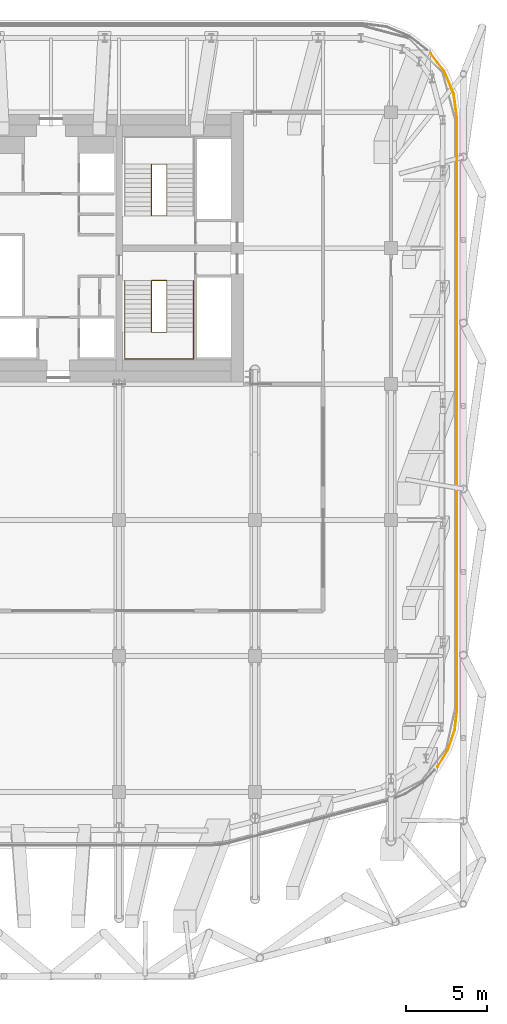
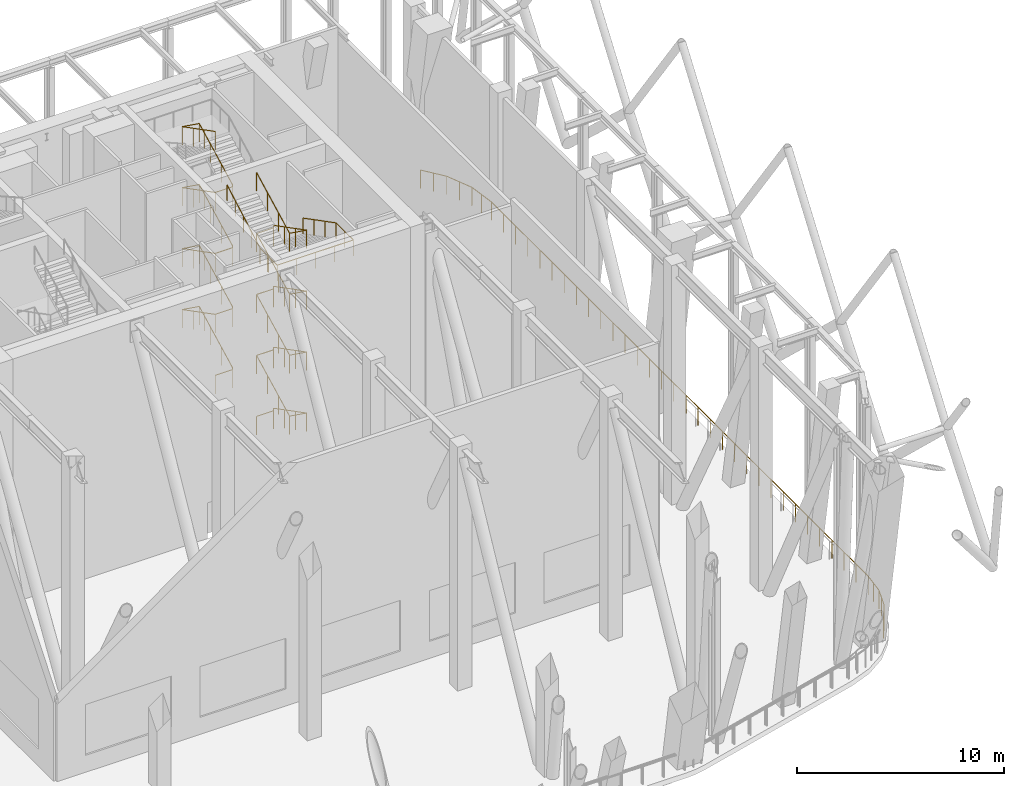
# One storey, part 19 of 20: 10 railings.
"""IFC4 building model written with IfcOpenShell, lengths in metres."""

from ifc_helpers import new_model, si_unit, direction, frame, origin, origin_2d, place, context, subcontext, project, spatial, circle, extrude, material, type_object, element, save


model = new_model("IFC4")

# Units and contexts
model_context = context("Model", 3, precision=1e-05, world=origin(), true_north=direction((0.0, 1.0)))
body_context = subcontext(model_context, "Body", "Model", "MODEL_VIEW")
ifc_project = project(units=[si_unit("LENGTHUNIT", "METRE"), si_unit("AREAUNIT", "SQUARE_METRE"), si_unit("VOLUMEUNIT", "CUBIC_METRE"), si_unit("PLANEANGLEUNIT", "RADIAN"), si_unit("MASSUNIT", "GRAM", prefix="KILO")], contexts=[model_context])

# Site, building, storey
site_placement = place(None, origin())
site = spatial("IfcSite", under=ifc_project, at=site_placement, CompositionType="ELEMENT")
building_placement = place(site_placement, origin())
building = spatial("IfcBuilding", under=site, at=building_placement, Name="Marenta Gate Hotel Tower", CompositionType="ELEMENT")
storey_placement = place(building_placement, frame((0.0, 0.0, 252.5)))
storey = spatial("IfcBuildingStorey", under=building, at=storey_placement, Name="L60", CompositionType="ELEMENT", Elevation=252.5)

# Railings
ifc_material_1 = material(Name="Stainless steel", Category="steel")
railing_type_1 = type_object("IfcRailingType", Name="Core stair handrail 950", PredefinedType="HANDRAIL", material=ifc_material_1)
railing_1_placement = place(storey_placement, frame((8.800048828125, 6.39990234375, 10.949951171875)))
element("IfcRailing", 1, at=railing_1_placement, inside=storey, type_object=railing_type_1, Name="HR-950 L60-KR-ST3-7", PredefinedType="HANDRAIL", context=body_context, shape_type="SweptSolid", body=[
    extrude(circle(Radius=0.02392578125, at=origin_2d()), frame((0.0, 0.0, 0.92578125), z_axis=(0.0, -0.888197555067, 0.459461753765), x_axis=(1.0, 0.0, 0.0)), (0.0, 0.0, 1.0), 3.591552734375),
    extrude(circle(Radius=0.02392578125, at=origin_2d()), frame((0.0, -3.18994140625, 2.576171875), z_axis=(0.0, -1.0, 0.0), x_axis=(1.0, 0.0, 0.0)), (0.0, 0.0, 1.0), 1.659912109375),
    extrude(circle(Radius=0.02392578125, at=origin_2d()), frame((0.0, -4.849853515625, 2.576171875), z_axis=(-1.0, 0.0, 0.0), x_axis=(0.0, -1.0, 0.0)), (0.0, 0.0, 1.0), 4.25),
    extrude(circle(Radius=0.02392578125, at=origin_2d()), frame((-4.25, -4.849853515625, 2.576171875), z_axis=(0.0, 1.0, 0.0), x_axis=(-1.0, 0.0, 0.0)), (0.0, 0.0, 1.0), 1.659912109375),
    extrude(circle(Radius=0.02392578125, at=origin_2d()), frame((-4.25, -3.18994140625, 2.576171875), z_axis=(0.0, 0.870937506535, 0.491393792911), x_axis=(-1.0, 0.0, 0.0)), (0.0, 0.0, 1.0), 3.66259765625),
    extrude(circle(Radius=0.02099609375, at=origin_2d()), origin(), (0.0, 0.0, 1.0), 0.90185546875),
    extrude(circle(Radius=0.02099609375, at=origin_2d()), frame((0.0, -1.063232421875, 0.550048828125)), (0.0, 0.0, 1.0), 0.90185546875),
    extrude(circle(Radius=0.02099609375, at=origin_2d()), frame((0.0, -2.126708984375, 1.10009765625)), (0.0, 0.0, 1.0), 0.90185546875),
    extrude(circle(Radius=0.02099609375, at=origin_2d()), frame((0.0, -3.18994140625, 1.650146484375)), (0.0, 0.0, 1.0), 0.90185546875),
    extrude(circle(Radius=0.02099609375, at=origin_2d()), frame((0.0, -4.02001953125, 1.650146484375)), (0.0, 0.0, 1.0), 0.90185546875),
    extrude(circle(Radius=0.02099609375, at=origin_2d()), frame((0.0, -4.849853515625, 1.650146484375)), (0.0, 0.0, 1.0), 0.90185546875),
    extrude(circle(Radius=0.02099609375, at=origin_2d()), frame((-1.0625, -4.849853515625, 1.650146484375)), (0.0, 0.0, 1.0), 0.90185546875),
    extrude(circle(Radius=0.02099609375, at=origin_2d()), frame((-2.125, -4.849853515625, 1.650146484375)), (0.0, 0.0, 1.0), 0.90185546875),
    extrude(circle(Radius=0.02099609375, at=origin_2d()), frame((-3.1875, -4.849853515625, 1.650146484375)), (0.0, 0.0, 1.0), 0.90185546875),
    extrude(circle(Radius=0.02099609375, at=origin_2d()), frame((-4.25, -4.849853515625, 1.650146484375)), (0.0, 0.0, 1.0), 0.90185546875),
    extrude(circle(Radius=0.02099609375, at=origin_2d()), frame((-4.25, -4.02001953125, 1.650146484375)), (0.0, 0.0, 1.0), 0.90185546875),
    extrude(circle(Radius=0.02099609375, at=origin_2d()), frame((-4.25, -3.18994140625, 1.650146484375)), (0.0, 0.0, 1.0), 0.90185546875),
    extrude(circle(Radius=0.02099609375, at=origin_2d()), frame((-4.25, -2.392578125, 2.10009765625)), (0.0, 0.0, 1.0), 0.90185546875),
    extrude(circle(Radius=0.02099609375, at=origin_2d()), frame((-4.25, -1.594970703125, 2.550048828125)), (0.0, 0.0, 1.0), 0.90185546875),
    extrude(circle(Radius=0.02099609375, at=origin_2d()), frame((-4.25, -0.79736328125, 3.0)), (0.0, 0.0, 1.0), 0.90185546875),
    extrude(circle(Radius=0.02099609375, at=origin_2d()), frame((-4.25, 0.0, 3.449951171875)), (0.0, 0.0, 1.0), 0.90185546875),
])
ifc_material_2 = material(Name="Stainless steel", Category="steel")
railing_type_2 = type_object("IfcRailingType", Name="Core stair well guard 1100", PredefinedType="GUARDRAIL", material=ifc_material_2)
railing_2_placement = place(storey_placement, frame((6.199951171875, 6.39990234375, 0.0)))
element("IfcRailing", 2, at=railing_2_placement, inside=storey, type_object=railing_type_2, Name="GR-1100 L60-KR-ST3-2", PredefinedType="GUARDRAIL", context=body_context, shape_type="SweptSolid", body=[
    extrude(circle(Radius=0.02392578125, at=origin_2d()), frame((0.0, 0.0, 1.076171875), z_axis=(1.0, 0.0, 0.0), x_axis=(0.0, 1.0, 0.0)), (0.0, 0.0, 1.0), 0.949951171875),
    extrude(circle(Radius=0.02392578125, at=origin_2d()), frame((0.949951171875, 0.0, 1.076171875), z_axis=(0.0, 0.0, 1.0), x_axis=(1.0, 0.0, 0.0)), (0.0, 0.0, 1.0), 0.14990234375),
    extrude(circle(Radius=0.02392578125, at=origin_2d()), frame((0.949951171875, 0.0, 1.22607421875), z_axis=(0.0, -0.888197555067, 0.459461753765), x_axis=(1.0, 0.0, 0.0)), (0.0, 0.0, 1.0), 3.591552734375),
    extrude(circle(Radius=0.02392578125, at=origin_2d()), frame((0.949951171875, -3.18994140625, 2.8759765625), z_axis=(-0.987777369502, 0.0, 0.15587131968), x_axis=(0.0, -1.0, 0.0)), (0.0, 0.0, 1.0), 0.961669921875),
    extrude(circle(Radius=0.02392578125, at=origin_2d()), frame((0.0, -3.18994140625, 3.02587890625), z_axis=(0.0, 0.888197555067, 0.459461753765), x_axis=(-1.0, 0.0, 0.0)), (0.0, 0.0, 1.0), 3.591552734375),
    extrude(circle(Radius=0.02099609375, at=origin_2d()), origin(), (0.0, 0.0, 1.0), 1.052001953125),
    extrude(circle(Radius=0.02099609375, at=origin_2d()), frame((0.949951171875, 0.0, 0.0)), (0.0, 0.0, 1.0), 1.052001953125),
    extrude(circle(Radius=0.02099609375, at=origin_2d()), frame((0.949951171875, 0.0, 0.14990234375)), (0.0, 0.0, 1.0), 1.052001953125),
    extrude(circle(Radius=0.02099609375, at=origin_2d()), frame((0.949951171875, -1.063232421875, 0.699951171875)), (0.0, 0.0, 1.0), 1.052001953125),
    extrude(circle(Radius=0.02099609375, at=origin_2d()), frame((0.949951171875, -2.126708984375, 1.25)), (0.0, 0.0, 1.0), 1.052001953125),
    extrude(circle(Radius=0.02099609375, at=origin_2d()), frame((0.949951171875, -3.18994140625, 1.800048828125)), (0.0, 0.0, 1.0), 1.052001953125),
    extrude(circle(Radius=0.02099609375, at=origin_2d()), frame((0.0, -3.18994140625, 1.949951171875)), (0.0, 0.0, 1.0), 1.052001953125),
    extrude(circle(Radius=0.02099609375, at=origin_2d()), frame((0.0, -2.126708984375, 2.5)), (0.0, 0.0, 1.0), 1.052001953125),
    extrude(circle(Radius=0.02099609375, at=origin_2d()), frame((0.0, -1.063232421875, 3.050048828125)), (0.0, 0.0, 1.0), 1.052001953125),
    extrude(circle(Radius=0.02099609375, at=origin_2d()), frame((0.0, 0.0, 3.60009765625)), (0.0, 0.0, 1.0), 1.052001953125),
])
railing_3_placement = place(storey_placement, frame((6.199951171875, 6.39990234375, 3.60009765625)))
element("IfcRailing", 3, at=railing_3_placement, inside=storey, type_object=railing_type_2, Name="GR-1100 L60-KR-ST3-4", PredefinedType="GUARDRAIL", context=body_context, shape_type="SweptSolid", body=[
    extrude(circle(Radius=0.02392578125, at=origin_2d()), frame((0.0, 0.0, 1.076171875), z_axis=(1.0, 0.0, 0.0), x_axis=(0.0, 1.0, 0.0)), (0.0, 0.0, 1.0), 0.949951171875),
    extrude(circle(Radius=0.02392578125, at=origin_2d()), frame((0.949951171875, 0.0, 1.076171875), z_axis=(0.0, 0.0, 1.0), x_axis=(1.0, 0.0, 0.0)), (0.0, 0.0, 1.0), 0.14990234375),
    extrude(circle(Radius=0.02392578125, at=origin_2d()), frame((0.949951171875, 0.0, 1.22607421875), z_axis=(0.0, -0.888225295554, 0.459408123936), x_axis=(1.0, 0.0, 0.0)), (0.0, 0.0, 1.0), 3.59130859375),
    extrude(circle(Radius=0.02392578125, at=origin_2d()), frame((0.949951171875, -3.18994140625, 2.8759765625), z_axis=(-0.987738253826, 0.0, 0.156118999255), x_axis=(0.0, -1.0, 0.0)), (0.0, 0.0, 1.0), 0.961669921875),
    extrude(circle(Radius=0.02392578125, at=origin_2d()), frame((0.0, -3.18994140625, 3.02587890625), z_axis=(0.0, 0.888225295554, 0.459408123936), x_axis=(-1.0, 0.0, 0.0)), (0.0, 0.0, 1.0), 3.59130859375),
    extrude(circle(Radius=0.02099609375, at=origin_2d()), origin(), (0.0, 0.0, 1.0), 1.052001953125),
    extrude(circle(Radius=0.02099609375, at=origin_2d()), frame((0.949951171875, 0.0, 0.0)), (0.0, 0.0, 1.0), 1.052001953125),
    extrude(circle(Radius=0.02099609375, at=origin_2d()), frame((0.949951171875, 0.0, 0.14990234375)), (0.0, 0.0, 1.0), 1.052001953125),
    extrude(circle(Radius=0.02099609375, at=origin_2d()), frame((0.949951171875, -1.063232421875, 0.699951171875)), (0.0, 0.0, 1.0), 1.052001953125),
    extrude(circle(Radius=0.02099609375, at=origin_2d()), frame((0.949951171875, -2.126708984375, 1.249755859375)), (0.0, 0.0, 1.0), 1.052001953125),
    extrude(circle(Radius=0.02099609375, at=origin_2d()), frame((0.949951171875, -3.18994140625, 1.7998046875)), (0.0, 0.0, 1.0), 1.052001953125),
    extrude(circle(Radius=0.02099609375, at=origin_2d()), frame((0.0, -3.18994140625, 1.949951171875)), (0.0, 0.0, 1.0), 1.052001953125),
    extrude(circle(Radius=0.02099609375, at=origin_2d()), frame((0.0, -2.126708984375, 2.5)), (0.0, 0.0, 1.0), 1.052001953125),
    extrude(circle(Radius=0.02099609375, at=origin_2d()), frame((0.0, -1.063232421875, 3.0498046875)), (0.0, 0.0, 1.0), 1.052001953125),
    extrude(circle(Radius=0.02099609375, at=origin_2d()), frame((0.0, 0.0, 3.599853515625)), (0.0, 0.0, 1.0), 1.052001953125),
])
railing_4_placement = place(storey_placement, frame((6.199951171875, 6.39990234375, 7.199951171875)))
element("IfcRailing", 4, at=railing_4_placement, inside=storey, type_object=railing_type_2, Name="GR-1100 L60-KR-ST3-6", PredefinedType="GUARDRAIL", context=body_context, shape_type="SweptSolid", body=[
    extrude(circle(Radius=0.02392578125, at=origin_2d()), frame((0.0, 0.0, 1.076171875), z_axis=(1.0, 0.0, 0.0), x_axis=(0.0, 1.0, 0.0)), (0.0, 0.0, 1.0), 0.949951171875),
    extrude(circle(Radius=0.02392578125, at=origin_2d()), frame((0.949951171875, 0.0, 1.076171875), z_axis=(0.0, 0.0, 1.0), x_axis=(1.0, 0.0, 0.0)), (0.0, 0.0, 1.0), 0.150146484375),
    extrude(circle(Radius=0.02392578125, at=origin_2d()), frame((0.949951171875, 0.0, 1.22607421875), z_axis=(0.0, -0.888225295554, 0.459408123936), x_axis=(1.0, 0.0, 0.0)), (0.0, 0.0, 1.0), 3.59130859375),
    extrude(circle(Radius=0.02392578125, at=origin_2d()), frame((0.949951171875, -3.18994140625, 2.8759765625), z_axis=(-0.987777369502, 0.0, 0.15587131968), x_axis=(0.0, -1.0, 0.0)), (0.0, 0.0, 1.0), 0.961669921875),
    extrude(circle(Radius=0.02392578125, at=origin_2d()), frame((0.0, -3.18994140625, 3.02587890625), z_axis=(0.0, 0.888197555067, 0.459461753765), x_axis=(-1.0, 0.0, 0.0)), (0.0, 0.0, 1.0), 3.591552734375),
    extrude(circle(Radius=0.02099609375, at=origin_2d()), origin(), (0.0, 0.0, 1.0), 1.052001953125),
    extrude(circle(Radius=0.02099609375, at=origin_2d()), frame((0.949951171875, 0.0, 0.0)), (0.0, 0.0, 1.0), 1.052001953125),
    extrude(circle(Radius=0.02099609375, at=origin_2d()), frame((0.949951171875, 0.0, 0.150146484375)), (0.0, 0.0, 1.0), 1.052001953125),
    extrude(circle(Radius=0.02099609375, at=origin_2d()), frame((0.949951171875, -1.063232421875, 0.7001953125)), (0.0, 0.0, 1.0), 1.052001953125),
    extrude(circle(Radius=0.02099609375, at=origin_2d()), frame((0.949951171875, -2.126708984375, 1.25)), (0.0, 0.0, 1.0), 1.052001953125),
    extrude(circle(Radius=0.02099609375, at=origin_2d()), frame((0.949951171875, -3.18994140625, 1.800048828125)), (0.0, 0.0, 1.0), 1.052001953125),
    extrude(circle(Radius=0.02099609375, at=origin_2d()), frame((0.0, -3.18994140625, 1.949951171875)), (0.0, 0.0, 1.0), 1.052001953125),
    extrude(circle(Radius=0.02099609375, at=origin_2d()), frame((0.0, -2.126708984375, 2.5)), (0.0, 0.0, 1.0), 1.052001953125),
    extrude(circle(Radius=0.02099609375, at=origin_2d()), frame((0.0, -1.063232421875, 3.050048828125)), (0.0, 0.0, 1.0), 1.052001953125),
    extrude(circle(Radius=0.02099609375, at=origin_2d()), frame((0.0, 0.0, 3.60009765625)), (0.0, 0.0, 1.0), 1.052001953125),
])
railing_5_placement = place(storey_placement, frame((6.199951171875, 6.39990234375, 10.800048828125)))
element("IfcRailing", 5, at=railing_5_placement, inside=storey, type_object=railing_type_2, Name="GR-1100 L60-KR-ST3-8", PredefinedType="GUARDRAIL", context=body_context, shape_type="SweptSolid", body=[
    extrude(circle(Radius=0.02392578125, at=origin_2d()), frame((0.0, 0.0, 1.076171875), z_axis=(1.0, 0.0, 0.0), x_axis=(0.0, 1.0, 0.0)), (0.0, 0.0, 1.0), 0.949951171875),
    extrude(circle(Radius=0.02392578125, at=origin_2d()), frame((0.949951171875, 0.0, 1.076171875), z_axis=(0.0, 0.0, 1.0), x_axis=(1.0, 0.0, 0.0)), (0.0, 0.0, 1.0), 0.14990234375),
    extrude(circle(Radius=0.02392578125, at=origin_2d()), frame((0.949951171875, 0.0, 1.22607421875), z_axis=(0.0, -0.888197555067, 0.459461753765), x_axis=(1.0, 0.0, 0.0)), (0.0, 0.0, 1.0), 3.591552734375),
    extrude(circle(Radius=0.02392578125, at=origin_2d()), frame((0.949951171875, -3.18994140625, 2.8759765625), z_axis=(-0.987777369502, 0.0, 0.15587131968), x_axis=(0.0, -1.0, 0.0)), (0.0, 0.0, 1.0), 0.961669921875),
    extrude(circle(Radius=0.02392578125, at=origin_2d()), frame((0.0, -3.18994140625, 3.02587890625), z_axis=(0.0, 0.888225295554, 0.459408123936), x_axis=(-1.0, 0.0, 0.0)), (0.0, 0.0, 1.0), 3.59130859375),
    extrude(circle(Radius=0.02099609375, at=origin_2d()), origin(), (0.0, 0.0, 1.0), 1.052001953125),
    extrude(circle(Radius=0.02099609375, at=origin_2d()), frame((0.949951171875, 0.0, 0.0)), (0.0, 0.0, 1.0), 1.052001953125),
    extrude(circle(Radius=0.02099609375, at=origin_2d()), frame((0.949951171875, 0.0, 0.14990234375)), (0.0, 0.0, 1.0), 1.052001953125),
    extrude(circle(Radius=0.02099609375, at=origin_2d()), frame((0.949951171875, -1.063232421875, 0.699951171875)), (0.0, 0.0, 1.0), 1.052001953125),
    extrude(circle(Radius=0.02099609375, at=origin_2d()), frame((0.949951171875, -2.126708984375, 1.25)), (0.0, 0.0, 1.0), 1.052001953125),
    extrude(circle(Radius=0.02099609375, at=origin_2d()), frame((0.949951171875, -3.18994140625, 1.800048828125)), (0.0, 0.0, 1.0), 1.052001953125),
    extrude(circle(Radius=0.02099609375, at=origin_2d()), frame((0.0, -3.18994140625, 1.949951171875)), (0.0, 0.0, 1.0), 1.052001953125),
    extrude(circle(Radius=0.02099609375, at=origin_2d()), frame((0.0, -2.126708984375, 2.5)), (0.0, 0.0, 1.0), 1.052001953125),
    extrude(circle(Radius=0.02099609375, at=origin_2d()), frame((0.0, -1.063232421875, 3.0498046875)), (0.0, 0.0, 1.0), 1.052001953125),
    extrude(circle(Radius=0.02099609375, at=origin_2d()), frame((0.0, 0.0, 3.599853515625)), (0.0, 0.0, 1.0), 1.052001953125),
])
railing_6_placement = place(storey_placement, frame((6.199951171875, 10.39990234375, 0.0)))
element("IfcRailing", 6, at=railing_6_placement, inside=storey, type_object=railing_type_2, Name="GR-1100 L60-KR-ST4-2", PredefinedType="GUARDRAIL", context=body_context, shape_type="SweptSolid", body=[
    extrude(circle(Radius=0.02392578125, at=origin_2d()), frame((0.0, 0.0, 1.076171875), z_axis=(1.0, 0.0, 0.0), x_axis=(0.0, 1.0, 0.0)), (0.0, 0.0, 1.0), 0.949951171875),
    extrude(circle(Radius=0.02392578125, at=origin_2d()), frame((0.949951171875, 0.0, 1.076171875), z_axis=(0.0, 0.0, 1.0), x_axis=(1.0, 0.0, 0.0)), (0.0, 0.0, 1.0), 0.14990234375),
    extrude(circle(Radius=0.02392578125, at=origin_2d()), frame((0.949951171875, 0.0, 1.22607421875), z_axis=(0.0, 0.888211904222, 0.459434013977), x_axis=(-1.0, 0.0, 0.0)), (0.0, 0.0, 1.0), 3.591796875),
    extrude(circle(Radius=0.02392578125, at=origin_2d()), frame((0.949951171875, 3.190185546875, 2.8759765625), z_axis=(-0.987777369502, 0.0, 0.15587131968), x_axis=(0.0, -1.0, 0.0)), (0.0, 0.0, 1.0), 0.961669921875),
    extrude(circle(Radius=0.02392578125, at=origin_2d()), frame((0.0, 3.190185546875, 3.02587890625), z_axis=(0.0, -0.888211904222, 0.459434013977), x_axis=(1.0, 0.0, 0.0)), (0.0, 0.0, 1.0), 3.591796875),
    extrude(circle(Radius=0.02099609375, at=origin_2d()), origin(), (0.0, 0.0, 1.0), 1.052001953125),
    extrude(circle(Radius=0.02099609375, at=origin_2d()), frame((0.949951171875, 0.0, 0.0)), (0.0, 0.0, 1.0), 1.052001953125),
    extrude(circle(Radius=0.02099609375, at=origin_2d()), frame((0.949951171875, 0.0, 0.14990234375)), (0.0, 0.0, 1.0), 1.052001953125),
    extrude(circle(Radius=0.02099609375, at=origin_2d()), frame((0.949951171875, 1.0634765625, 0.699951171875)), (0.0, 0.0, 1.0), 1.052001953125),
    extrude(circle(Radius=0.02099609375, at=origin_2d()), frame((0.949951171875, 2.126708984375, 1.25)), (0.0, 0.0, 1.0), 1.052001953125),
    extrude(circle(Radius=0.02099609375, at=origin_2d()), frame((0.949951171875, 3.190185546875, 1.800048828125)), (0.0, 0.0, 1.0), 1.052001953125),
    extrude(circle(Radius=0.02099609375, at=origin_2d()), frame((0.0, 3.190185546875, 1.949951171875)), (0.0, 0.0, 1.0), 1.052001953125),
    extrude(circle(Radius=0.02099609375, at=origin_2d()), frame((0.0, 2.126708984375, 2.5)), (0.0, 0.0, 1.0), 1.052001953125),
    extrude(circle(Radius=0.02099609375, at=origin_2d()), frame((0.0, 1.0634765625, 3.050048828125)), (0.0, 0.0, 1.0), 1.052001953125),
    extrude(circle(Radius=0.02099609375, at=origin_2d()), frame((0.0, 0.0, 3.60009765625)), (0.0, 0.0, 1.0), 1.052001953125),
])
railing_7_placement = place(storey_placement, frame((6.199951171875, 10.39990234375, 3.60009765625)))
element("IfcRailing", 7, at=railing_7_placement, inside=storey, type_object=railing_type_2, Name="GR-1100 L60-KR-ST4-4", PredefinedType="GUARDRAIL", context=body_context, shape_type="SweptSolid", body=[
    extrude(circle(Radius=0.02392578125, at=origin_2d()), frame((0.0, 0.0, 1.076171875), z_axis=(1.0, 0.0, 0.0), x_axis=(0.0, 1.0, 0.0)), (0.0, 0.0, 1.0), 0.949951171875),
    extrude(circle(Radius=0.02392578125, at=origin_2d()), frame((0.949951171875, 0.0, 1.076171875), z_axis=(0.0, 0.0, 1.0), x_axis=(1.0, 0.0, 0.0)), (0.0, 0.0, 1.0), 0.14990234375),
    extrude(circle(Radius=0.02392578125, at=origin_2d()), frame((0.949951171875, 0.0, 1.22607421875), z_axis=(0.0, 0.888239641807, 0.459380385653), x_axis=(-1.0, 0.0, 0.0)), (0.0, 0.0, 1.0), 3.591552734375),
    extrude(circle(Radius=0.02392578125, at=origin_2d()), frame((0.949951171875, 3.190185546875, 2.8759765625), z_axis=(-0.987738253826, 0.0, 0.156118999255), x_axis=(0.0, -1.0, 0.0)), (0.0, 0.0, 1.0), 0.961669921875),
    extrude(circle(Radius=0.02392578125, at=origin_2d()), frame((0.0, 3.190185546875, 3.02587890625), z_axis=(0.0, -0.888239641807, 0.459380385653), x_axis=(1.0, 0.0, 0.0)), (0.0, 0.0, 1.0), 3.591552734375),
    extrude(circle(Radius=0.02099609375, at=origin_2d()), origin(), (0.0, 0.0, 1.0), 1.052001953125),
    extrude(circle(Radius=0.02099609375, at=origin_2d()), frame((0.949951171875, 0.0, 0.0)), (0.0, 0.0, 1.0), 1.052001953125),
    extrude(circle(Radius=0.02099609375, at=origin_2d()), frame((0.949951171875, 0.0, 0.14990234375)), (0.0, 0.0, 1.0), 1.052001953125),
    extrude(circle(Radius=0.02099609375, at=origin_2d()), frame((0.949951171875, 1.0634765625, 0.699951171875)), (0.0, 0.0, 1.0), 1.052001953125),
    extrude(circle(Radius=0.02099609375, at=origin_2d()), frame((0.949951171875, 2.126708984375, 1.249755859375)), (0.0, 0.0, 1.0), 1.052001953125),
    extrude(circle(Radius=0.02099609375, at=origin_2d()), frame((0.949951171875, 3.190185546875, 1.7998046875)), (0.0, 0.0, 1.0), 1.052001953125),
    extrude(circle(Radius=0.02099609375, at=origin_2d()), frame((0.0, 3.190185546875, 1.949951171875)), (0.0, 0.0, 1.0), 1.052001953125),
    extrude(circle(Radius=0.02099609375, at=origin_2d()), frame((0.0, 2.126708984375, 2.5)), (0.0, 0.0, 1.0), 1.052001953125),
    extrude(circle(Radius=0.02099609375, at=origin_2d()), frame((0.0, 1.0634765625, 3.0498046875)), (0.0, 0.0, 1.0), 1.052001953125),
    extrude(circle(Radius=0.02099609375, at=origin_2d()), frame((0.0, 0.0, 3.599853515625)), (0.0, 0.0, 1.0), 1.052001953125),
])
railing_8_placement = place(storey_placement, frame((6.199951171875, 10.39990234375, 7.199951171875)))
element("IfcRailing", 8, at=railing_8_placement, inside=storey, type_object=railing_type_2, Name="GR-1100 L60-KR-ST4-6", PredefinedType="GUARDRAIL", context=body_context, shape_type="SweptSolid", body=[
    extrude(circle(Radius=0.02392578125, at=origin_2d()), frame((0.0, 0.0, 1.076171875), z_axis=(1.0, 0.0, 0.0), x_axis=(0.0, 1.0, 0.0)), (0.0, 0.0, 1.0), 0.949951171875),
    extrude(circle(Radius=0.02392578125, at=origin_2d()), frame((0.949951171875, 0.0, 1.076171875), z_axis=(0.0, 0.0, 1.0), x_axis=(1.0, 0.0, 0.0)), (0.0, 0.0, 1.0), 0.150146484375),
    extrude(circle(Radius=0.02392578125, at=origin_2d()), frame((0.949951171875, 0.0, 1.22607421875), z_axis=(0.0, 0.888239641807, 0.459380385653), x_axis=(-1.0, 0.0, 0.0)), (0.0, 0.0, 1.0), 3.591552734375),
    extrude(circle(Radius=0.02392578125, at=origin_2d()), frame((0.949951171875, 3.190185546875, 2.8759765625), z_axis=(-0.987777369502, 0.0, 0.15587131968), x_axis=(0.0, -1.0, 0.0)), (0.0, 0.0, 1.0), 0.961669921875),
    extrude(circle(Radius=0.02392578125, at=origin_2d()), frame((0.0, 3.190185546875, 3.02587890625), z_axis=(0.0, -0.888211904222, 0.459434013977), x_axis=(1.0, 0.0, 0.0)), (0.0, 0.0, 1.0), 3.591796875),
    extrude(circle(Radius=0.02099609375, at=origin_2d()), origin(), (0.0, 0.0, 1.0), 1.052001953125),
    extrude(circle(Radius=0.02099609375, at=origin_2d()), frame((0.949951171875, 0.0, 0.0)), (0.0, 0.0, 1.0), 1.052001953125),
    extrude(circle(Radius=0.02099609375, at=origin_2d()), frame((0.949951171875, 0.0, 0.150146484375)), (0.0, 0.0, 1.0), 1.052001953125),
    extrude(circle(Radius=0.02099609375, at=origin_2d()), frame((0.949951171875, 1.0634765625, 0.7001953125)), (0.0, 0.0, 1.0), 1.052001953125),
    extrude(circle(Radius=0.02099609375, at=origin_2d()), frame((0.949951171875, 2.126708984375, 1.25)), (0.0, 0.0, 1.0), 1.052001953125),
    extrude(circle(Radius=0.02099609375, at=origin_2d()), frame((0.949951171875, 3.190185546875, 1.800048828125)), (0.0, 0.0, 1.0), 1.052001953125),
    extrude(circle(Radius=0.02099609375, at=origin_2d()), frame((0.0, 3.190185546875, 1.949951171875)), (0.0, 0.0, 1.0), 1.052001953125),
    extrude(circle(Radius=0.02099609375, at=origin_2d()), frame((0.0, 2.126708984375, 2.5)), (0.0, 0.0, 1.0), 1.052001953125),
    extrude(circle(Radius=0.02099609375, at=origin_2d()), frame((0.0, 1.0634765625, 3.050048828125)), (0.0, 0.0, 1.0), 1.052001953125),
    extrude(circle(Radius=0.02099609375, at=origin_2d()), frame((0.0, 0.0, 3.60009765625)), (0.0, 0.0, 1.0), 1.052001953125),
])
railing_9_placement = place(storey_placement, frame((6.199951171875, 10.39990234375, 10.800048828125)))
element("IfcRailing", 9, at=railing_9_placement, inside=storey, type_object=railing_type_2, Name="GR-1100 L60-KR-ST4-8", PredefinedType="GUARDRAIL", context=body_context, shape_type="SweptSolid", body=[
    extrude(circle(Radius=0.02392578125, at=origin_2d()), frame((0.0, 0.0, 1.076171875), z_axis=(1.0, 0.0, 0.0), x_axis=(0.0, 1.0, 0.0)), (0.0, 0.0, 1.0), 0.949951171875),
    extrude(circle(Radius=0.02392578125, at=origin_2d()), frame((0.949951171875, 0.0, 1.076171875), z_axis=(0.0, 0.0, 1.0), x_axis=(1.0, 0.0, 0.0)), (0.0, 0.0, 1.0), 0.14990234375),
    extrude(circle(Radius=0.02392578125, at=origin_2d()), frame((0.949951171875, 0.0, 1.22607421875), z_axis=(0.0, 0.888211904222, 0.459434013977), x_axis=(-1.0, 0.0, 0.0)), (0.0, 0.0, 1.0), 3.591796875),
    extrude(circle(Radius=0.02392578125, at=origin_2d()), frame((0.949951171875, 3.190185546875, 2.8759765625), z_axis=(-0.987777369502, 0.0, 0.15587131968), x_axis=(0.0, -1.0, 0.0)), (0.0, 0.0, 1.0), 0.961669921875),
    extrude(circle(Radius=0.02392578125, at=origin_2d()), frame((0.0, 3.190185546875, 3.02587890625), z_axis=(0.0, -0.888239641807, 0.459380385653), x_axis=(1.0, 0.0, 0.0)), (0.0, 0.0, 1.0), 3.591552734375),
    extrude(circle(Radius=0.02099609375, at=origin_2d()), origin(), (0.0, 0.0, 1.0), 1.052001953125),
    extrude(circle(Radius=0.02099609375, at=origin_2d()), frame((0.949951171875, 0.0, 0.0)), (0.0, 0.0, 1.0), 1.052001953125),
    extrude(circle(Radius=0.02099609375, at=origin_2d()), frame((0.949951171875, 0.0, 0.14990234375)), (0.0, 0.0, 1.0), 1.052001953125),
    extrude(circle(Radius=0.02099609375, at=origin_2d()), frame((0.949951171875, 1.0634765625, 0.699951171875)), (0.0, 0.0, 1.0), 1.052001953125),
    extrude(circle(Radius=0.02099609375, at=origin_2d()), frame((0.949951171875, 2.126708984375, 1.25)), (0.0, 0.0, 1.0), 1.052001953125),
    extrude(circle(Radius=0.02099609375, at=origin_2d()), frame((0.949951171875, 3.190185546875, 1.800048828125)), (0.0, 0.0, 1.0), 1.052001953125),
    extrude(circle(Radius=0.02099609375, at=origin_2d()), frame((0.0, 3.190185546875, 1.949951171875)), (0.0, 0.0, 1.0), 1.052001953125),
    extrude(circle(Radius=0.02099609375, at=origin_2d()), frame((0.0, 2.126708984375, 2.5)), (0.0, 0.0, 1.0), 1.052001953125),
    extrude(circle(Radius=0.02099609375, at=origin_2d()), frame((0.0, 1.0634765625, 3.0498046875)), (0.0, 0.0, 1.0), 1.052001953125),
    extrude(circle(Radius=0.02099609375, at=origin_2d()), frame((0.0, 0.0, 3.599853515625)), (0.0, 0.0, 1.0), 1.052001953125),
])
ifc_material_3 = material(Name="Stainless steel", Category="steel")
railing_type_3 = type_object("IfcRailingType", Name="Guard 1100 stainless balustrade", PredefinedType="GUARDRAIL", material=ifc_material_3)
railing_10_placement = place(storey_placement, frame((23.45556640625, 20.4287109375, 0.0)))
element("IfcRailing", 10, at=railing_10_placement, inside=storey, type_object=railing_type_3, Name="Guard", PredefinedType="GUARDRAIL", context=body_context, shape_type="SweptSolid", body=[
    extrude(circle(Radius=0.02392578125, at=origin_2d()), frame((0.0, 0.0, 1.076171875), z_axis=(0.60886823322, -0.793271375115, 0.0), x_axis=(0.793271375115, 0.60886823322, 0.0)), (0.0, 0.0, 1.0), 1.373046875),
    extrude(circle(Radius=0.02392578125, at=origin_2d()), frame((0.8359375, -1.089111328125, 1.076171875), z_axis=(0.382581272365, -0.923921841952, 0.0), x_axis=(0.923921841952, 0.382581272365, 0.0)), (0.0, 0.0, 1.0), 1.53466796875),
    extrude(circle(Radius=0.02392578125, at=origin_2d()), frame((1.423095703125, -2.507080078125, 1.076171875), z_axis=(0.130556852376, -0.991440824405, 0.0), x_axis=(0.991440824405, 0.130556852376, 0.0)), (0.0, 0.0, 1.0), 1.542724609375),
    extrude(circle(Radius=0.02392578125, at=origin_2d()), frame((1.62451171875, -4.03662109375, 1.076171875), z_axis=(0.0, -1.0, 0.0), x_axis=(1.0, 0.0, 0.0)), (0.0, 0.0, 1.0), 36.4697265625),
    extrude(circle(Radius=0.02392578125, at=origin_2d()), frame((1.62451171875, -40.50634765625, 1.076171875), z_axis=(-0.109080390249, -0.994032931277, 0.0), x_axis=(0.994032931277, -0.109080390249, 0.0)), (0.0, 0.0, 1.0), 1.289306640625),
    extrude(circle(Radius=0.02392578125, at=origin_2d()), frame((1.48388671875, -41.787841796875, 1.076171875), z_axis=(-0.322104084184, -0.946704261611, 0.0), x_axis=(0.946704261611, -0.322104084184, 0.0)), (0.0, 0.0, 1.0), 1.282470703125),
    extrude(circle(Radius=0.02392578125, at=origin_2d()), frame((1.07080078125, -43.001953125, 1.076171875), z_axis=(-0.519590331328, -0.854415523964, 0.0), x_axis=(0.854415523964, -0.519590331328, 0.0)), (0.0, 0.0, 1.0), 1.238037109375),
    extrude(circle(Radius=0.02099609375, at=origin_2d()), origin(), (0.0, 0.0, 1.0), 1.052001953125),
    extrude(circle(Radius=0.02099609375, at=origin_2d()), frame((0.41796875, -0.54443359375, 0.0)), (0.0, 0.0, 1.0), 1.052001953125),
    extrude(circle(Radius=0.02099609375, at=origin_2d()), frame((0.8359375, -1.089111328125, 0.0)), (0.0, 0.0, 1.0), 1.052001953125),
    extrude(circle(Radius=0.02099609375, at=origin_2d()), frame((1.12939453125, -1.798095703125, 0.0)), (0.0, 0.0, 1.0), 1.052001953125),
    extrude(circle(Radius=0.02099609375, at=origin_2d()), frame((1.423095703125, -2.507080078125, 0.0)), (0.0, 0.0, 1.0), 1.052001953125),
    extrude(circle(Radius=0.02099609375, at=origin_2d()), frame((1.52392578125, -3.27197265625, 0.0)), (0.0, 0.0, 1.0), 1.052001953125),
    extrude(circle(Radius=0.02099609375, at=origin_2d()), frame((1.62451171875, -4.03662109375, 0.0)), (0.0, 0.0, 1.0), 1.052001953125),
    extrude(circle(Radius=0.02099609375, at=origin_2d()), frame((1.62451171875, -5.213134765625, 0.0)), (0.0, 0.0, 1.0), 1.052001953125),
    extrude(circle(Radius=0.02099609375, at=origin_2d()), frame((1.62451171875, -6.389404296875, 0.0)), (0.0, 0.0, 1.0), 1.052001953125),
    extrude(circle(Radius=0.02099609375, at=origin_2d()), frame((1.62451171875, -7.56591796875, 0.0)), (0.0, 0.0, 1.0), 1.052001953125),
    extrude(circle(Radius=0.02099609375, at=origin_2d()), frame((1.62451171875, -8.742431640625, 0.0)), (0.0, 0.0, 1.0), 1.052001953125),
    extrude(circle(Radius=0.02099609375, at=origin_2d()), frame((1.62451171875, -9.9189453125, 0.0)), (0.0, 0.0, 1.0), 1.052001953125),
    extrude(circle(Radius=0.02099609375, at=origin_2d()), frame((1.62451171875, -11.09521484375, 0.0)), (0.0, 0.0, 1.0), 1.052001953125),
    extrude(circle(Radius=0.02099609375, at=origin_2d()), frame((1.62451171875, -12.271728515625, 0.0)), (0.0, 0.0, 1.0), 1.052001953125),
    extrude(circle(Radius=0.02099609375, at=origin_2d()), frame((1.62451171875, -13.4482421875, 0.0)), (0.0, 0.0, 1.0), 1.052001953125),
    extrude(circle(Radius=0.02099609375, at=origin_2d()), frame((1.62451171875, -14.62451171875, 0.0)), (0.0, 0.0, 1.0), 1.052001953125),
    extrude(circle(Radius=0.02099609375, at=origin_2d()), frame((1.62451171875, -15.801025390625, 0.0)), (0.0, 0.0, 1.0), 1.052001953125),
    extrude(circle(Radius=0.02099609375, at=origin_2d()), frame((1.62451171875, -16.9775390625, 0.0)), (0.0, 0.0, 1.0), 1.052001953125),
    extrude(circle(Radius=0.02099609375, at=origin_2d()), frame((1.62451171875, -18.154052734375, 0.0)), (0.0, 0.0, 1.0), 1.052001953125),
    extrude(circle(Radius=0.02099609375, at=origin_2d()), frame((1.62451171875, -19.330322265625, 0.0)), (0.0, 0.0, 1.0), 1.052001953125),
    extrude(circle(Radius=0.02099609375, at=origin_2d()), frame((1.62451171875, -20.5068359375, 0.0)), (0.0, 0.0, 1.0), 1.052001953125),
    extrude(circle(Radius=0.02099609375, at=origin_2d()), frame((1.62451171875, -21.683349609375, 0.0)), (0.0, 0.0, 1.0), 1.052001953125),
    extrude(circle(Radius=0.02099609375, at=origin_2d()), frame((1.62451171875, -22.859619140625, 0.0)), (0.0, 0.0, 1.0), 1.052001953125),
    extrude(circle(Radius=0.02099609375, at=origin_2d()), frame((1.62451171875, -24.0361328125, 0.0)), (0.0, 0.0, 1.0), 1.052001953125),
    extrude(circle(Radius=0.02099609375, at=origin_2d()), frame((1.62451171875, -25.212646484375, 0.0)), (0.0, 0.0, 1.0), 1.052001953125),
    extrude(circle(Radius=0.02099609375, at=origin_2d()), frame((1.62451171875, -26.388916015625, 0.0)), (0.0, 0.0, 1.0), 1.052001953125),
    extrude(circle(Radius=0.02099609375, at=origin_2d()), frame((1.62451171875, -27.5654296875, 0.0)), (0.0, 0.0, 1.0), 1.052001953125),
    extrude(circle(Radius=0.02099609375, at=origin_2d()), frame((1.62451171875, -28.741943359375, 0.0)), (0.0, 0.0, 1.0), 1.052001953125),
    extrude(circle(Radius=0.02099609375, at=origin_2d()), frame((1.62451171875, -29.91845703125, 0.0)), (0.0, 0.0, 1.0), 1.052001953125),
    extrude(circle(Radius=0.02099609375, at=origin_2d()), frame((1.62451171875, -31.0947265625, 0.0)), (0.0, 0.0, 1.0), 1.052001953125),
    extrude(circle(Radius=0.02099609375, at=origin_2d()), frame((1.62451171875, -32.271240234375, 0.0)), (0.0, 0.0, 1.0), 1.052001953125),
    extrude(circle(Radius=0.02099609375, at=origin_2d()), frame((1.62451171875, -33.44775390625, 0.0)), (0.0, 0.0, 1.0), 1.052001953125),
    extrude(circle(Radius=0.02099609375, at=origin_2d()), frame((1.62451171875, -34.6240234375, 0.0)), (0.0, 0.0, 1.0), 1.052001953125),
    extrude(circle(Radius=0.02099609375, at=origin_2d()), frame((1.62451171875, -35.800537109375, 0.0)), (0.0, 0.0, 1.0), 1.052001953125),
    extrude(circle(Radius=0.02099609375, at=origin_2d()), frame((1.62451171875, -36.97705078125, 0.0)), (0.0, 0.0, 1.0), 1.052001953125),
    extrude(circle(Radius=0.02099609375, at=origin_2d()), frame((1.62451171875, -38.153564453125, 0.0)), (0.0, 0.0, 1.0), 1.052001953125),
    extrude(circle(Radius=0.02099609375, at=origin_2d()), frame((1.62451171875, -39.329833984375, 0.0)), (0.0, 0.0, 1.0), 1.052001953125),
    extrude(circle(Radius=0.02099609375, at=origin_2d()), frame((1.62451171875, -40.50634765625, 0.0)), (0.0, 0.0, 1.0), 1.052001953125),
    extrude(circle(Radius=0.02099609375, at=origin_2d()), frame((1.55419921875, -41.14697265625, 0.0)), (0.0, 0.0, 1.0), 1.052001953125),
    extrude(circle(Radius=0.02099609375, at=origin_2d()), frame((1.48388671875, -41.787841796875, 0.0)), (0.0, 0.0, 1.0), 1.052001953125),
    extrude(circle(Radius=0.02099609375, at=origin_2d()), frame((1.27734375, -42.39501953125, 0.0)), (0.0, 0.0, 1.0), 1.052001953125),
    extrude(circle(Radius=0.02099609375, at=origin_2d()), frame((1.07080078125, -43.001953125, 0.0)), (0.0, 0.0, 1.0), 1.052001953125),
    extrude(circle(Radius=0.02099609375, at=origin_2d()), frame((0.7490234375, -43.53076171875, 0.0)), (0.0, 0.0, 1.0), 1.052001953125),
    extrude(circle(Radius=0.02099609375, at=origin_2d()), frame((0.427490234375, -44.059814453125, 0.0)), (0.0, 0.0, 1.0), 1.052001953125),
])

save(model, "model.ifc")
